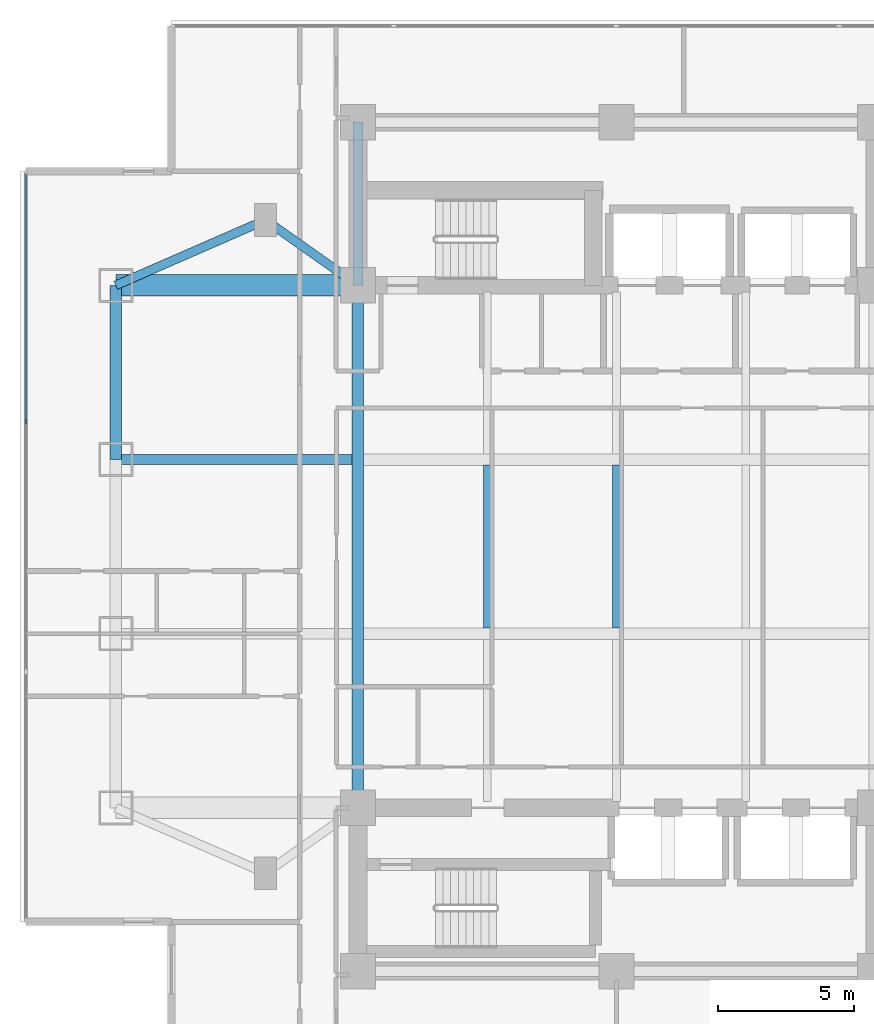
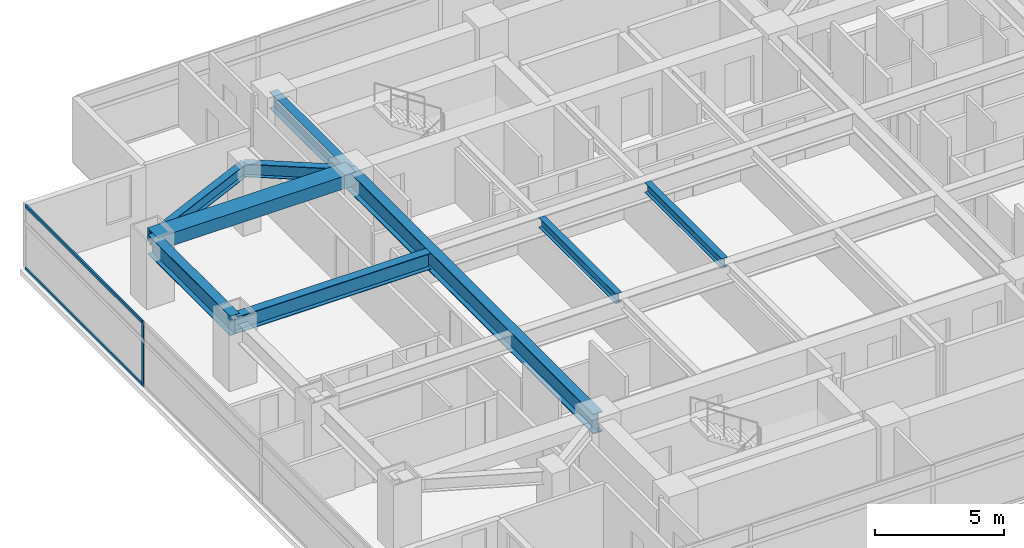
# One storey, part 3 of 24: 9 beams, 3 members, 1 element without a shape of its own.
"""IFC4 building model written with IfcOpenShell, lengths in metres."""

from ifc_helpers import new_model, si_unit, direction, frame, origin, origin_2d, place, context, subcontext, project, spatial, rectangle, i_section, extrude, material, material_profile, profile_set, type_object, element, aggregate, save


model = new_model("IFC4")

# Units and contexts
model_context = context("Model", 3, precision=1e-05, world=origin(), true_north=direction((0.0, 1.0)))
body_context = subcontext(model_context, "Body", "Model", "MODEL_VIEW")
ifc_project = project(units=[si_unit("LENGTHUNIT", "METRE"), si_unit("AREAUNIT", "SQUARE_METRE"), si_unit("VOLUMEUNIT", "CUBIC_METRE"), si_unit("PLANEANGLEUNIT", "RADIAN"), si_unit("MASSUNIT", "GRAM", prefix="KILO")], contexts=[model_context])

# Site, building, storey
site_placement = place(None, origin())
site = spatial("IfcSite", under=ifc_project, at=site_placement, CompositionType="ELEMENT")
building_placement = place(site_placement, origin())
building = spatial("IfcBuilding", under=site, at=building_placement, Name="Mirazonda Arch Towers", CompositionType="ELEMENT")
storey_placement = place(building_placement, frame((0.0, 0.0, 65.300048828125)))
storey = spatial("IfcBuildingStorey", under=building, at=storey_placement, Name="L18", CompositionType="ELEMENT", Elevation=65.300048828125)

# Beams
ifc_material_1 = material(Name="Steel ASTM A992 Grade 50", Category="steel")
ifc_material_profile_1 = material_profile(ifc_material_1, i_section(OverallWidth=0.41796875, OverallDepth=0.927001953125, WebThickness=0.019287109375, FlangeThickness=0.031982421875, at=origin_2d()), Name="W36X231")
ifc_profile_set_1 = profile_set([ifc_material_profile_1], Name="Steel ASTM A992 Grade 50")
beam_type_1 = type_object("IfcBeamType", Name="BM-EXT-W36X231", PredefinedType="USERDEFINED", material=ifc_profile_set_1)
beam_1_placement = place(storey_placement, frame((2.10009765625, 31.199951171875, 2.596435546875), z_axis=(0.0, 1.0, 0.0), x_axis=(-1.0, 0.0, 0.0)))
element("IfcBeam", 1, at=beam_1_placement, inside=storey, type_object=beam_type_1, Name="L18 Floor Beam BM-T1-L18-NS-W-31", ObjectType="GIRDER", PredefinedType="USERDEFINED", context=body_context, shape_type="SweptSolid", body=[
    extrude(i_section(OverallWidth=0.41796875, OverallDepth=0.927001953125, WebThickness=0.019287109375, FlangeThickness=0.031982421875, at=origin_2d()), origin(), (0.0, 0.0, 1.0), 6.400146484375),
])
ifc_material_profile_2 = material_profile(ifc_material_1, i_section(OverallWidth=0.280029296875, OverallDepth=0.462890625, WebThickness=0.0107421875, FlangeThickness=0.017333984375, at=origin_2d()), Name="W18X76")
ifc_profile_set_2 = profile_set([ifc_material_profile_2], Name="Steel ASTM A992 Grade 50")
beam_type_2 = type_object("IfcBeamType", Name="BM-INT-W18X76", PredefinedType="JOIST", material=ifc_profile_set_2)
for number, where, z_axis, x_axis, name in (
    (2, (15.75, 25.007568359375, 2.828369140625), (0.0, 1.0, 0.0), (-1.0, 0.0, 0.0), "L18 Floor Beam BM-T1-L18-J-157-24"),
    (3, (20.5, 25.007568359375, 2.828369140625), (0.0, 1.0, 0.0), (-1.0, 0.0, 0.0), "L18 Floor Beam BM-T1-L18-J-205-24"),
):
    element("IfcBeam", number, at=place(storey_placement, frame(where, z_axis=z_axis, x_axis=x_axis)), inside=storey, type_object=beam_type_2, Name=name, PredefinedType="JOIST", context=body_context, shape_type="SweptSolid", body=[
        extrude(i_section(OverallWidth=0.280029296875, OverallDepth=0.462890625, WebThickness=0.0107421875, FlangeThickness=0.017333984375, at=origin_2d()), origin(), (0.0, 0.0, 1.0), 5.98486328125),
    ])
ifc_material_profile_3 = material_profile(ifc_material_1, i_section(OverallWidth=0.324951171875, OverallDepth=0.615966796875, WebThickness=0.013916015625, FlangeThickness=0.021484375, at=origin_2d()), Name="W24X117")
ifc_profile_set_3 = profile_set([ifc_material_profile_3], Name="Steel ASTM A992 Grade 50")
beam_type_3 = type_object("IfcBeamType", Name="BM-INT-W24X117", PredefinedType="BEAM", material=ifc_profile_set_3)
beam_2_placement = place(storey_placement, frame((7.60009765625, 40.0, 2.751953125), z_axis=(0.816971114901, -0.576678591087, 0.0), x_axis=(0.576678591087, 0.816971114901, 0.0)))
element("IfcBeam", 4, at=beam_2_placement, inside=storey, type_object=beam_type_3, Name="L18 Floor Beam BM-T1-L18-PL-NW1", PredefinedType="BEAM", context=body_context, shape_type="SweptSolid", body=[
    extrude(i_section(OverallWidth=0.324951171875, OverallDepth=0.615966796875, WebThickness=0.013916015625, FlangeThickness=0.021484375, at=origin_2d()), origin(), (0.0, 0.0, 1.0), 4.16162109375),
])
beam_3_placement = place(storey_placement, frame((7.60009765625, 40.0, 2.751953125), z_axis=(-0.916545343703, -0.399930785183, 0.0), x_axis=(0.399930785183, -0.916545343703, 0.0)))
element("IfcBeam", 5, at=beam_3_placement, inside=storey, type_object=beam_type_3, Name="L18 Floor Beam BM-T1-L18-PL-NW2", PredefinedType="BEAM", context=body_context, shape_type="SweptSolid", body=[
    extrude(i_section(OverallWidth=0.324951171875, OverallDepth=0.615966796875, WebThickness=0.013916015625, FlangeThickness=0.021484375, at=origin_2d()), origin(), (0.0, 0.0, 1.0), 6.000732421875),
])
ifc_material_profile_4 = material_profile(ifc_material_1, i_section(OverallWidth=0.381103515625, OverallDepth=0.77294921875, WebThickness=0.0166015625, FlangeThickness=0.027099609375, at=origin_2d()), Name="W30X173")
ifc_profile_set_4 = profile_set([ifc_material_profile_4], Name="Steel ASTM A992 Grade 50")
beam_type_4 = type_object("IfcBeamType", Name="BM-INT-W30X173", PredefinedType="USERDEFINED", material=ifc_profile_set_4)
beam_4_placement = place(storey_placement, frame((2.10009765625, 31.199951171875, 2.67333984375), z_axis=(1.0, 0.0, 0.0), x_axis=(0.0, 1.0, 0.0)))
element("IfcBeam", 6, at=beam_4_placement, inside=storey, type_object=beam_type_4, Name="L18 Floor Beam BM-T1-L18-GW3", ObjectType="GIRDER", PredefinedType="USERDEFINED", context=body_context, shape_type="SweptSolid", body=[
    extrude(i_section(OverallWidth=0.381103515625, OverallDepth=0.77294921875, WebThickness=0.0166015625, FlangeThickness=0.027099609375, at=origin_2d()), origin(), (0.0, 0.0, 1.0), 8.6884765625),
])
beam_5_placement = place(storey_placement, frame((11.0, 37.60009765625, 2.67333984375), z_axis=(0.0, 1.0, 0.0), x_axis=(-1.0, 0.0, 0.0)))
element("IfcBeam", 7, at=beam_5_placement, inside=storey, type_object=beam_type_4, Name="L18 Floor Beam BM-T1-L18-CNW", ObjectType="GIRDER", PredefinedType="USERDEFINED", context=body_context, shape_type="SweptSolid", body=[
    extrude(i_section(OverallWidth=0.381103515625, OverallDepth=0.77294921875, WebThickness=0.0166015625, FlangeThickness=0.027099609375, at=origin_2d()), origin(), (0.0, 0.0, 1.0), 6.0),
])
ifc_material_profile_5 = material_profile(ifc_material_1, i_section(OverallWidth=0.423095703125, OverallDepth=0.947998046875, WebThickness=0.02392578125, FlangeThickness=0.042724609375, at=origin_2d()), Name="W36X302")
ifc_profile_set_5 = profile_set([ifc_material_profile_5], Name="Steel ASTM A992 Grade 50")
beam_type_5 = type_object("IfcBeamType", Name="BM-INT-W36X302", PredefinedType="USERDEFINED", material=ifc_profile_set_5)
beam_6_placement = place(storey_placement, frame((11.0, 18.39990234375, 2.5859375), z_axis=(0.0, 1.0, 0.0), x_axis=(-1.0, 0.0, 0.0)))
element("IfcBeam", 8, at=beam_6_placement, inside=storey, type_object=beam_type_5, Name="L18 Floor Beam BM-T1-L18-NS-CW-FULL", ObjectType="GIRDER", PredefinedType="USERDEFINED", context=body_context, shape_type="SweptSolid", body=[
    extrude(i_section(OverallWidth=0.423095703125, OverallDepth=0.947998046875, WebThickness=0.02392578125, FlangeThickness=0.042724609375, at=origin_2d()), origin(), (0.0, 0.0, 1.0), 19.2001953125),
])
ifc_material_2 = material(Name="Concrete C60/75", Category="concrete")
ifc_material_profile_6 = material_profile(ifc_material_2, rectangle(XDim=0.800048828125, YDim=0.60009765625, at=origin_2d()), Name="RCCB800x600")
ifc_profile_set_6 = profile_set([ifc_material_profile_6], Name="Concrete C60/75")
beam_type_6 = type_object("IfcBeamType", Name="CB-INT-RCCB800x600", PredefinedType="SPANDREL", material=ifc_profile_set_6)
beam_7_placement = place(storey_placement, frame((2.10009765625, 37.60009765625, 2.760009765625), z_axis=(1.0, 0.0, 0.0), x_axis=(0.0, 1.0, 0.0)))
element("IfcBeam", 9, at=beam_7_placement, inside=storey, type_object=beam_type_6, Name="L18 Floor Beam CBC-T1-L18-NW", PredefinedType="SPANDREL", context=body_context, shape_type="SweptSolid", body=[
    extrude(rectangle(XDim=0.800048828125, YDim=0.60009765625, at=origin_2d()), origin(), (0.0, 0.0, 1.0), 8.89990234375),
])

# Curtain wall, members
ifc_material_3 = material(Name="Anodised Aluminium and Low-E Glass", Category="aluminium")
curtain_wall_type = type_object("IfcCurtainWallType", Name="CW-HTL-UNIT", PredefinedType="NOTDEFINED", material=ifc_material_3)
curtain_wall_placement = place(storey_placement, origin())
curtain_wall = element("IfcCurtainWall", 10, at=curtain_wall_placement, inside=storey, type_object=curtain_wall_type, Name="L18 T1 W Facade CW-L18-T1-W", PredefinedType="NOTDEFINED")
ifc_material_4 = material(Name="Anodised Aluminium Alloy", Category="aluminium")
ifc_material_profile_7 = material_profile(ifc_material_4, rectangle(XDim=0.074951171875, YDim=0.1650390625, at=origin_2d()), Name="ALU-MULL-75x165")
ifc_profile_set_7 = profile_set([ifc_material_profile_7], Name="Anodised Aluminium Alloy")
member_type_1 = type_object("IfcMemberType", Name="MULL-CW-HTL-UNIT", PredefinedType="MULLION", material=ifc_profile_set_7)
member_1_placement = place(storey_placement, frame((-1.199951171875, 32.597412109375, 0.0), z_axis=(0.0, 0.0, 1.0), x_axis=(1.0, 0.0, 0.0)))
member_1 = element("IfcMember", 11, at=member_1_placement, type_object=member_type_1, Name="CW-112 mullion 2", PredefinedType="MULLION", context=body_context, shape_type="SweptSolid", body=[
    extrude(rectangle(XDim=0.074951171875, YDim=0.1650390625, at=origin_2d()), origin(), (0.0, 0.0, 1.0), 3.0400390625),
])
ifc_material_profile_8 = material_profile(ifc_material_4, rectangle(XDim=0.074951171875, YDim=0.14501953125, at=origin_2d()), Name="ALU-TRAN-75x145")
ifc_profile_set_8 = profile_set([ifc_material_profile_8], Name="Anodised Aluminium Alloy")
member_type_2 = type_object("IfcMemberType", Name="TRAN-CW-HTL-UNIT", PredefinedType="USERDEFINED", material=ifc_profile_set_8)
member_2_placement = place(storey_placement, frame((-1.199951171875, 41.717041015625, 0.037353515625), z_axis=(0.0, -1.0, 0.0), x_axis=(1.0, 0.0, 0.0)))
member_2 = element("IfcMember", 12, at=member_2_placement, type_object=member_type_2, Name="CW-112 transom 1.1", ObjectType="TRANSOM", PredefinedType="USERDEFINED", context=body_context, shape_type="SweptSolid", body=[
    extrude(rectangle(XDim=0.074951171875, YDim=0.14501953125, at=origin_2d()), origin(), (0.0, 0.0, 1.0), 9.082275390625),
])
member_3_placement = place(storey_placement, frame((-1.199951171875, 41.717041015625, 3.00244140625), z_axis=(0.0, -1.0, 0.0), x_axis=(1.0, 0.0, 0.0)))
member_3 = element("IfcMember", 13, at=member_3_placement, type_object=member_type_2, Name="CW-112 transom 1.2", ObjectType="TRANSOM", PredefinedType="USERDEFINED", context=body_context, shape_type="SweptSolid", body=[
    extrude(rectangle(XDim=0.074951171875, YDim=0.14501953125, at=origin_2d()), origin(), (0.0, 0.0, 1.0), 9.082275390625),
])
aggregate(curtain_wall, [member_1, member_2, member_3])

save(model, "model.ifc")
